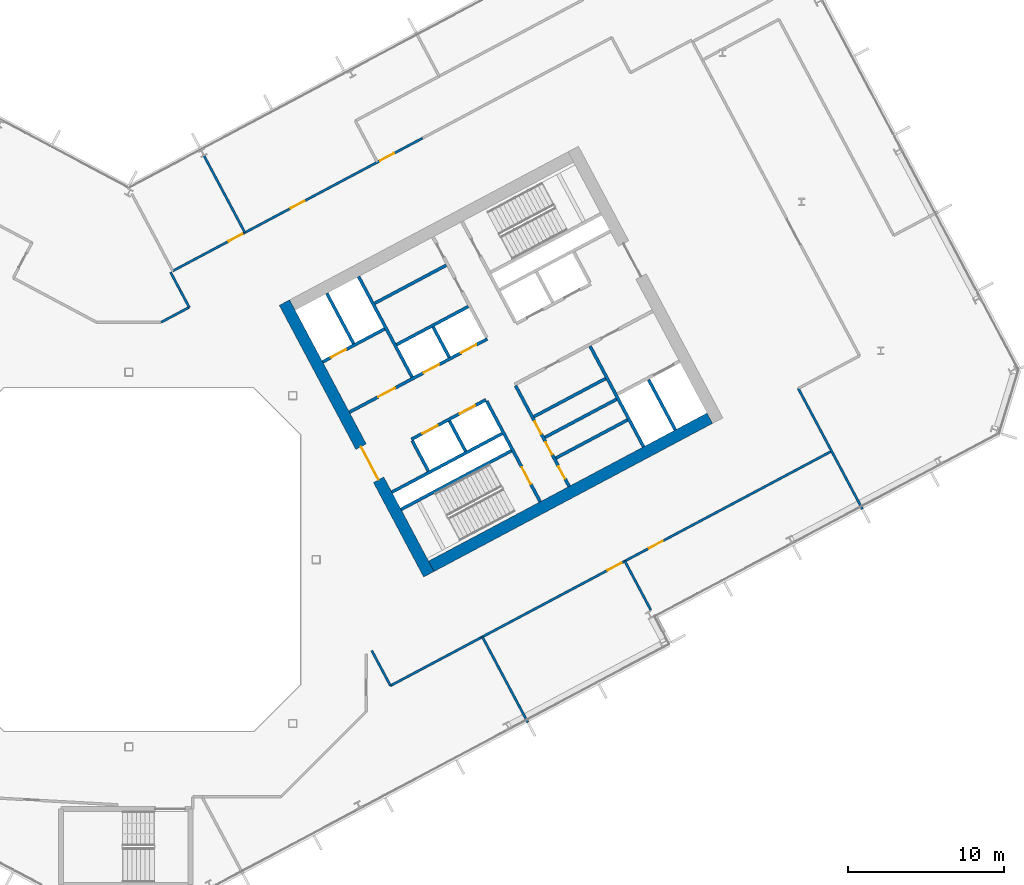
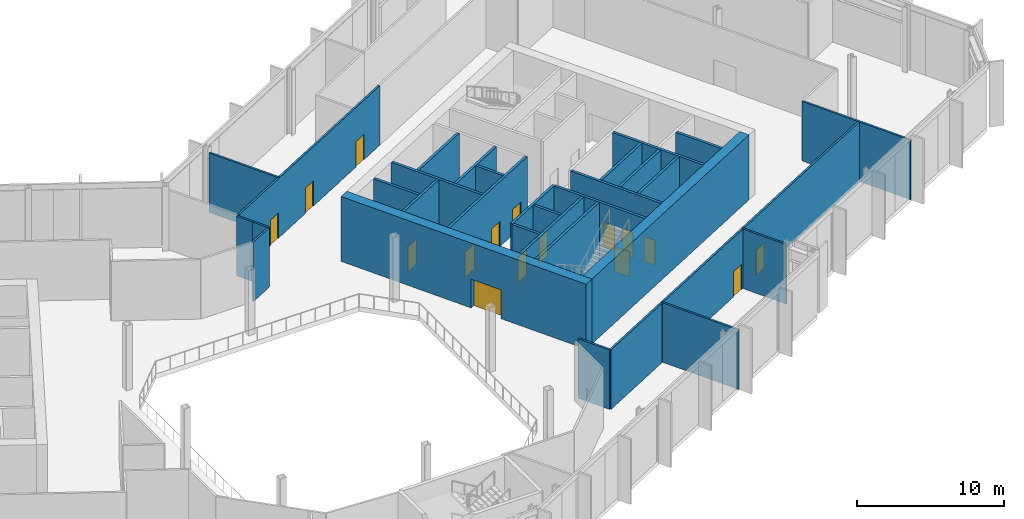
# One storey, part 16 of 31: 32 walls, 16 doors, 16 openings.
"""IFC4 building model written with IfcOpenShell, lengths in metres."""

from ifc_helpers import new_model, si_unit, direction, frame, frame_2d, origin, place, context, subcontext, project, spatial, rectangle, extrude, material, layer, layer_set, type_object, element, fill, save


model = new_model("IFC4")

# Units and contexts
model_context = context("Model", 3, precision=1e-05, world=origin(), true_north=direction((0.0, 1.0)))
body_context = subcontext(model_context, "Body", "Model", "MODEL_VIEW")
ifc_project = project(units=[si_unit("LENGTHUNIT", "METRE"), si_unit("AREAUNIT", "SQUARE_METRE"), si_unit("VOLUMEUNIT", "CUBIC_METRE"), si_unit("PLANEANGLEUNIT", "RADIAN"), si_unit("MASSUNIT", "GRAM", prefix="KILO")], contexts=[model_context])

# Site, building, storey
site_placement = place(None, origin())
site = spatial("IfcSite", under=ifc_project, at=site_placement, CompositionType="ELEMENT")
building_placement = place(site_placement, origin())
building = spatial("IfcBuilding", under=site, at=building_placement, Name="Cormorant Relay Tower", CompositionType="ELEMENT")
storey_placement = place(building_placement, frame((0.0, 0.0, 178.199951171875)))
storey = spatial("IfcBuildingStorey", under=building, at=storey_placement, Name="L38", CompositionType="ELEMENT", Elevation=178.199951171875)

# Walls
ifc_material_1 = material(Name="Concrete 40 MPa", Category="concrete")
ifc_layer_1 = layer(ifc_material_1, 0.199951171875)
ifc_layer_set_1 = layer_set([ifc_layer_1], Name="Core internal wall 200")
wall_type_1 = type_object("IfcWallType", Name="Core internal wall 200", PredefinedType="SOLIDWALL", material=ifc_layer_set_1)
for number, where, z_axis, x_axis, name in (
    (1, (21.567626953125, 6.9375, 0.0), (0.0, 0.0, 1.0), (-0.469533832133, 0.882914480843, 0.0), "L38 core B shaft and room wall"),
    (2, (20.522216796875, 12.950439453125, 0.0), (0.0, 0.0, 1.0), (-0.469401318492, 0.882984938828, 0.0), "L38 core B shaft and room wall"),
):
    element("IfcWall", number, at=place(storey_placement, frame(where, z_axis=z_axis, x_axis=x_axis)), inside=storey, type_object=wall_type_1, Name=name, PredefinedType="SOLIDWALL", context=body_context, shape_type="SweptSolid", body=[
        extrude(rectangle(XDim=2.199951171875, YDim=0.199951171875, at=frame_2d((1.10009765625, 0.0))), origin(), (0.0, 0.0, 1.0), 5.400146484375),
    ])
for number, where, z_axis, x_axis, name in (
    (3, (27.349365234375, 6.500732421875, 0.0), (0.0, 0.0, 1.0), (0.882953967957, 0.469459572775, 0.0), "L38 core B shaft and room wall"),
    (4, (26.645263671875, 7.8251953125, 0.0), (0.0, 0.0, 1.0), (0.882953967957, 0.469459572775, 0.0), "L38 core B shaft and room wall"),
    (5, (15.738525390625, 16.409423828125, 0.0), (0.0, 0.0, 1.0), (0.882934506056, 0.469496174655, 0.0), "L38 core B shaft and room wall"),
):
    element("IfcWall", number, at=place(storey_placement, frame(where, z_axis=z_axis, x_axis=x_axis)), inside=storey, type_object=wall_type_1, Name=name, PredefinedType="SOLIDWALL", context=body_context, shape_type="SweptSolid", body=[
        extrude(rectangle(XDim=5.199951171875, YDim=0.199951171875, at=frame_2d((2.60009765625, 0.0))), origin(), (0.0, 0.0, 1.0), 5.400146484375),
    ])
ifc_material_2 = material(Name="Concrete 50 MPa", Category="concrete")
ifc_layer_2 = layer(ifc_material_2, 0.199951171875)
ifc_layer_set_2 = layer_set([ifc_layer_2], Name="Core shaft wall 200")
wall_type_2 = type_object("IfcWallType", Name="Core shaft wall 200", PredefinedType="SHEAR", material=ifc_layer_set_2)
wall_1_placement = place(storey_placement, frame((14.39404296875, 13.825927734375, 0.0), z_axis=(0.0, 0.0, 1.0), x_axis=(-0.469494272526, 0.882935517501, 0.0)))
element("IfcWall", 6, at=wall_1_placement, inside=storey, type_object=wall_type_2, Name="L38 core B shaft wall", PredefinedType="SHEAR", context=body_context, shape_type="SweptSolid", body=[
    extrude(rectangle(XDim=3.64990234375, YDim=0.199951171875, at=frame_2d((1.824951171875, 0.0))), origin(), (0.0, 0.0, 1.0), 5.400146484375),
])
wall_2_placement = place(storey_placement, frame((19.18359375, 5.669921875, 0.0), z_axis=(0.0, 0.0, 1.0), x_axis=(-0.4694473164, 0.882960484464, 0.0)))
element("IfcWall", 7, at=wall_2_placement, inside=storey, type_object=wall_type_2, Name="L38 core B shaft wall", PredefinedType="SHEAR", context=body_context, shape_type="SweptSolid", body=[
    extrude(rectangle(XDim=2.199951171875, YDim=0.199951171875, at=frame_2d((1.10009765625, 0.0))), origin(), (0.0, 0.0, 1.0), 5.400146484375),
])
wall_3_placement = place(storey_placement, frame((18.138427734375, 11.682861328125, 0.0), z_axis=(0.0, 0.0, 1.0), x_axis=(-0.469480409012, 0.88294288918, 0.0)))
element("IfcWall", 8, at=wall_3_placement, inside=storey, type_object=wall_type_2, Name="L38 core B shaft wall", PredefinedType="SHEAR", context=body_context, shape_type="SweptSolid", body=[
    extrude(rectangle(XDim=7.300048828125, YDim=0.199951171875, at=frame_2d((3.64990234375, 0.0))), origin(), (0.0, 0.0, 1.0), 5.400146484375),
])

# Wall, opening, door
wall_4_placement = place(storey_placement, frame((26.345947265625, 3.701904296875, 0.0), z_axis=(0.0, 0.0, 1.0), x_axis=(-0.469480409012, 0.88294288918, 0.0)))
wall_4 = element("IfcWall", 9, at=wall_4_placement, inside=storey, type_object=wall_type_2, Name="L38 core B shaft wall", PredefinedType="SHEAR", context=body_context, shape_type="SweptSolid", body=[
    extrude(rectangle(XDim=7.300048828125, YDim=0.199951171875, at=frame_2d((3.64990234375, 0.0))), origin(), (0.0, 0.0, 1.0), 5.400146484375),
])
opening_1_placement = place(wall_4_placement, frame((1.300048828125, 0.0, 0.0)))
opening_1 = element("IfcOpeningElement", 10, at=opening_1_placement, cuts=wall_4, Name="Opening CDB-021", PredefinedType="OPENING", context=body_context, shape_type="SweptSolid", body=[
    extrude(rectangle(XDim=1.199951171875, YDim=2.10009765625, at=frame_2d((0.60009765625, 1.050048828125))), frame((0.0, 0.10986328125, 0.0), z_axis=(0.0, -1.0, 0.0), x_axis=(1.0, 0.0, 0.0)), (0.0, 0.0, 1.0), 0.219970703125),
])
ifc_material_3 = material(Name="Steel fire door", Category="steel")
door_type_1 = type_object("IfcDoorType", Name="Core stair door 1200x2100", OperationType="SINGLE_SWING_LEFT", PredefinedType="DOOR", material=ifc_material_3)
door_1_placement = place(opening_1_placement, origin())
door_1 = element("IfcDoor", 11, at=door_1_placement, inside=storey, type_object=door_type_1, Name="Core stair door 1200x2100", OperationType="SINGLE_SWING_RIGHT", OverallHeight=2.10009765625, OverallWidth=1.199951171875, PredefinedType="DOOR", context=body_context, shape_type="SweptSolid", body=[
    extrude(rectangle(XDim=1.199951171875, YDim=2.10009765625, at=frame_2d((0.60009765625, 1.050048828125))), frame((0.0, 0.02490234375, 0.0), z_axis=(0.0, -1.0, 0.0), x_axis=(1.0, 0.0, 0.0)), (0.0, 0.0, 1.0), 0.050048828125),
])
fill(opening_1, door_1)

# Wall, openings, doors
wall_5_placement = place(storey_placement, frame((28.199951171875, 4.687744140625, 0.0), z_axis=(0.0, 0.0, 1.0), x_axis=(-0.469454336211, 0.882956752176, 0.0)))
wall_5 = element("IfcWall", 12, at=wall_5_placement, inside=storey, type_object=wall_type_2, Name="L38 core B shaft wall", PredefinedType="SHEAR", context=body_context, shape_type="SweptSolid", body=[
    extrude(rectangle(XDim=7.300048828125, YDim=0.199951171875, at=frame_2d((3.64990234375, 0.0))), origin(), (0.0, 0.0, 1.0), 5.400146484375),
])
opening_2_placement = place(wall_5_placement, frame((0.550048828125, 0.0, 0.0)))
opening_2 = element("IfcOpeningElement", 13, at=opening_2_placement, cuts=wall_5, Name="Opening CDD-078", PredefinedType="OPENING", context=body_context, shape_type="SweptSolid", body=[
    extrude(rectangle(XDim=0.89990234375, YDim=2.10009765625, at=frame_2d((0.449951171875, 1.050048828125))), frame((0.0, 0.10986328125, 0.0), z_axis=(0.0, -1.0, 0.0), x_axis=(1.0, 0.0, 0.0)), (0.0, 0.0, 1.0), 0.219970703125),
])
opening_3_placement = place(wall_5_placement, frame((2.300048828125, 0.0, 0.0)))
opening_3 = element("IfcOpeningElement", 14, at=opening_3_placement, cuts=wall_5, Name="Opening CDD-079", PredefinedType="OPENING", context=body_context, shape_type="SweptSolid", body=[
    extrude(rectangle(XDim=0.89990234375, YDim=2.10009765625, at=frame_2d((0.449951171875, 1.050048828125))), frame((0.0, 0.10986328125, 0.0), z_axis=(0.0, -1.0, 0.0), x_axis=(1.0, 0.0, 0.0)), (0.0, 0.0, 1.0), 0.219970703125),
])
opening_4_placement = place(wall_5_placement, frame((3.800048828125, 0.0, 0.0)))
opening_4 = element("IfcOpeningElement", 15, at=opening_4_placement, cuts=wall_5, Name="Opening CDD-080", PredefinedType="OPENING", context=body_context, shape_type="SweptSolid", body=[
    extrude(rectangle(XDim=0.89990234375, YDim=2.10009765625, at=frame_2d((0.449951171875, 1.050048828125))), frame((0.0, 0.10986328125, 0.0), z_axis=(0.0, -1.0, 0.0), x_axis=(1.0, 0.0, 0.0)), (0.0, 0.0, 1.0), 0.219970703125),
])
ifc_material_4 = material(Name="Steel fire door", Category="steel")
door_type_2 = type_object("IfcDoorType", Name="Core room door 900x2100", OperationType="SINGLE_SWING_LEFT", PredefinedType="DOOR", material=ifc_material_4)
door_2_placement = place(opening_2_placement, frame((0.89990234375, 0.0, 0.0), z_axis=(0.0, 0.0, 1.0), x_axis=(-1.0, 0.0, 0.0)))
door_2 = element("IfcDoor", 16, at=door_2_placement, inside=storey, type_object=door_type_2, Name="Core room door 900x2100", OperationType="SINGLE_SWING_LEFT", OverallHeight=2.10009765625, OverallWidth=0.89990234375, PredefinedType="DOOR", context=body_context, shape_type="SweptSolid", body=[
    extrude(rectangle(XDim=0.89990234375, YDim=2.10009765625, at=frame_2d((0.449951171875, 1.050048828125))), frame((0.0, 0.02490234375, 0.0), z_axis=(0.0, -1.0, 0.0), x_axis=(1.0, 0.0, 0.0)), (0.0, 0.0, 1.0), 0.050048828125),
])
fill(opening_2, door_2)
door_3_placement = place(opening_3_placement, frame((0.89990234375, 0.0, 0.0), z_axis=(0.0, 0.0, 1.0), x_axis=(-1.0, 0.0, 0.0)))
door_3 = element("IfcDoor", 17, at=door_3_placement, inside=storey, type_object=door_type_2, Name="Core room door 900x2100", OperationType="SINGLE_SWING_LEFT", OverallHeight=2.10009765625, OverallWidth=0.89990234375, PredefinedType="DOOR", context=body_context, shape_type="SweptSolid", body=[
    extrude(rectangle(XDim=0.89990234375, YDim=2.10009765625, at=frame_2d((0.449951171875, 1.050048828125))), frame((0.0, 0.02490234375, 0.0), z_axis=(0.0, -1.0, 0.0), x_axis=(1.0, 0.0, 0.0)), (0.0, 0.0, 1.0), 0.050048828125),
])
fill(opening_3, door_3)
door_4_placement = place(opening_4_placement, frame((0.89990234375, 0.0, 0.0), z_axis=(0.0, 0.0, 1.0), x_axis=(-1.0, 0.0, 0.0)))
door_4 = element("IfcDoor", 18, at=door_4_placement, inside=storey, type_object=door_type_2, Name="Core room door 900x2100", OperationType="SINGLE_SWING_LEFT", OverallHeight=2.10009765625, OverallWidth=0.89990234375, PredefinedType="DOOR", context=body_context, shape_type="SweptSolid", body=[
    extrude(rectangle(XDim=0.89990234375, YDim=2.10009765625, at=frame_2d((0.449951171875, 1.050048828125))), frame((0.0, 0.02490234375, 0.0), z_axis=(0.0, -1.0, 0.0), x_axis=(1.0, 0.0, 0.0)), (0.0, 0.0, 1.0), 0.050048828125),
])
fill(opening_4, door_4)

# Walls
wall_6_placement = place(storey_placement, frame((32.968017578125, 7.222900390625, 0.0), z_axis=(0.0, 0.0, 1.0), x_axis=(-0.469480409012, 0.88294288918, 0.0)))
element("IfcWall", 19, at=wall_6_placement, inside=storey, type_object=wall_type_2, Name="L38 core B shaft wall", PredefinedType="SHEAR", context=body_context, shape_type="SweptSolid", body=[
    extrude(rectangle(XDim=7.300048828125, YDim=0.199951171875, at=frame_2d((3.64990234375, 0.0))), origin(), (0.0, 0.0, 1.0), 5.400146484375),
])
wall_7_placement = place(storey_placement, frame((34.998779296875, 8.302734375, 0.0), z_axis=(0.0, 0.0, 1.0), x_axis=(-0.4694665462, 0.882950260207, 0.0)))
element("IfcWall", 20, at=wall_7_placement, inside=storey, type_object=wall_type_2, Name="L38 core B shaft wall", PredefinedType="SHEAR", context=body_context, shape_type="SweptSolid", body=[
    extrude(rectangle(XDim=3.650146484375, YDim=0.199951171875, at=frame_2d((1.8251953125, 0.0))), origin(), (0.0, 0.0, 1.0), 5.400146484375),
])
for number, where, z_axis, x_axis, name in (
    (21, (17.43359375, 3.210205078125, 0.0), (0.0, 0.0, 1.0), (0.882940221191, 0.469485426614, 0.0), "L38 core B shaft wall"),
    (22, (16.8466796875, 4.31396484375, 0.0), (0.0, 0.0, 1.0), (0.882940221191, 0.469485426614, 0.0), "L38 core B shaft wall"),
):
    element("IfcWall", number, at=place(storey_placement, frame(where, z_axis=z_axis, x_axis=x_axis)), inside=storey, type_object=wall_type_2, Name=name, PredefinedType="SHEAR", context=body_context, shape_type="SweptSolid", body=[
        extrude(rectangle(XDim=8.0, YDim=0.199951171875, at=frame_2d((4.0, 0.0))), origin(), (0.0, 0.0, 1.0), 5.400146484375),
    ])
wall_8_placement = place(storey_placement, frame((25.94091796875, 9.149658203125, 0.0), z_axis=(0.0, 0.0, 1.0), x_axis=(0.882953967957, 0.469459572775, 0.0)))
element("IfcWall", 23, at=wall_8_placement, inside=storey, type_object=wall_type_2, Name="L38 core B shaft wall", PredefinedType="SHEAR", context=body_context, shape_type="SweptSolid", body=[
    extrude(rectangle(XDim=5.199951171875, YDim=0.199951171875, at=frame_2d((2.60009765625, 0.0))), origin(), (0.0, 0.0, 1.0), 5.400146484375),
])

# Wall, openings, doors
wall_9_placement = place(storey_placement, frame((18.103759765625, 7.70068359375, 0.0), z_axis=(0.0, 0.0, 1.0), x_axis=(0.882952937579, 0.469461510692, 0.0)))
wall_9 = element("IfcWall", 24, at=wall_9_placement, inside=storey, type_object=wall_type_2, Name="L38 core B shaft wall", PredefinedType="SHEAR", context=body_context, shape_type="SweptSolid", body=[
    extrude(rectangle(XDim=5.400146484375, YDim=0.199951171875, at=frame_2d((2.7001953125, 0.0))), origin(), (0.0, 0.0, 1.0), 5.400146484375),
])
opening_5_placement = place(wall_9_placement, frame((0.800048828125, 0.0, 0.0)))
opening_5 = element("IfcOpeningElement", 25, at=opening_5_placement, cuts=wall_9, Name="Opening LD1-024", PredefinedType="OPENING", context=body_context, shape_type="SweptSolid", body=[
    extrude(rectangle(XDim=1.10009765625, YDim=2.10009765625, at=frame_2d((0.550048828125, 1.050048828125))), frame((0.0, 0.10986328125, 0.0), z_axis=(0.0, -1.0, 0.0), x_axis=(1.0, 0.0, 0.0)), (0.0, 0.0, 1.0), 0.219970703125),
])
opening_6_placement = place(wall_9_placement, frame((3.5, 0.0, 0.0)))
opening_6 = element("IfcOpeningElement", 26, at=opening_6_placement, cuts=wall_9, Name="Opening LD1-025", PredefinedType="OPENING", context=body_context, shape_type="SweptSolid", body=[
    extrude(rectangle(XDim=1.10009765625, YDim=2.10009765625, at=frame_2d((0.550048828125, 1.050048828125))), frame((0.0, 0.10986328125, 0.0), z_axis=(0.0, -1.0, 0.0), x_axis=(1.0, 0.0, 0.0)), (0.0, 0.0, 1.0), 0.219970703125),
])
ifc_material_5 = material(Name="Stainless steel 316", Category="steel")
door_type_3 = type_object("IfcDoorType", Name="Lift landing door 1100x2100", OperationType="DOUBLE_DOOR_SLIDING", PredefinedType="DOOR", material=ifc_material_5)
door_5_placement = place(opening_5_placement, origin())
door_5 = element("IfcDoor", 27, at=door_5_placement, inside=storey, type_object=door_type_3, Name="LR5 landing door", OperationType="DOUBLE_DOOR_SLIDING", OverallHeight=2.10009765625, OverallWidth=1.10009765625, PredefinedType="DOOR", context=body_context, shape_type="SweptSolid", body=[
    extrude(rectangle(XDim=1.10009765625, YDim=2.10009765625, at=frame_2d((0.550048828125, 1.050048828125))), frame((0.0, 0.02490234375, 0.0), z_axis=(0.0, -1.0, 0.0), x_axis=(1.0, 0.0, 0.0)), (0.0, 0.0, 1.0), 0.050048828125),
])
fill(opening_5, door_5)
door_6_placement = place(opening_6_placement, origin())
door_6 = element("IfcDoor", 28, at=door_6_placement, inside=storey, type_object=door_type_3, Name="LR6 landing door", OperationType="DOUBLE_DOOR_SLIDING", OverallHeight=2.10009765625, OverallWidth=1.10009765625, PredefinedType="DOOR", context=body_context, shape_type="SweptSolid", body=[
    extrude(rectangle(XDim=1.10009765625, YDim=2.10009765625, at=frame_2d((0.550048828125, 1.050048828125))), frame((0.0, 0.02490234375, 0.0), z_axis=(0.0, -1.0, 0.0), x_axis=(1.0, 0.0, 0.0)), (0.0, 0.0, 1.0), 0.050048828125),
])
fill(opening_6, door_6)

wall_10_placement = place(storey_placement, frame((14.123779296875, 9.43505859375, 0.0), z_axis=(0.0, 0.0, 1.0), x_axis=(0.882940221191, 0.469485426614, 0.0)))
wall_10 = element("IfcWall", 29, at=wall_10_placement, inside=storey, type_object=wall_type_2, Name="L38 core B shaft wall", PredefinedType="SHEAR", context=body_context, shape_type="SweptSolid", body=[
    extrude(rectangle(XDim=10.0, YDim=0.199951171875, at=frame_2d((5.0, 0.0))), origin(), (0.0, 0.0, 1.0), 5.400146484375),
])
opening_7_placement = place(wall_10_placement, frame((2.10009765625, 0.0, 0.0)))
opening_7 = element("IfcOpeningElement", 30, at=opening_7_placement, cuts=wall_10, Name="Opening CDC-015", PredefinedType="OPENING", context=body_context, shape_type="SweptSolid", body=[
    extrude(rectangle(XDim=1.199951171875, YDim=2.10009765625, at=frame_2d((0.60009765625, 1.050048828125))), frame((0.0, 0.10986328125, 0.0), z_axis=(0.0, -1.0, 0.0), x_axis=(1.0, 0.0, 0.0)), (0.0, 0.0, 1.0), 0.219970703125),
])
opening_8_placement = place(wall_10_placement, frame((5.39990234375, 0.0, 0.0)))
opening_8 = element("IfcOpeningElement", 31, at=opening_8_placement, cuts=wall_10, Name="Opening LD1-020", PredefinedType="OPENING", context=body_context, shape_type="SweptSolid", body=[
    extrude(rectangle(XDim=1.10009765625, YDim=2.10009765625, at=frame_2d((0.550048828125, 1.050048828125))), frame((0.0, 0.10986328125, 0.0), z_axis=(0.0, -1.0, 0.0), x_axis=(1.0, 0.0, 0.0)), (0.0, 0.0, 1.0), 0.219970703125),
])
opening_9_placement = place(wall_10_placement, frame((8.10009765625, 0.0, 0.0)))
opening_9 = element("IfcOpeningElement", 32, at=opening_9_placement, cuts=wall_10, Name="Opening LD1-021", PredefinedType="OPENING", context=body_context, shape_type="SweptSolid", body=[
    extrude(rectangle(XDim=1.10009765625, YDim=2.10009765625, at=frame_2d((0.550048828125, 1.050048828125))), frame((0.0, 0.10986328125, 0.0), z_axis=(0.0, -1.0, 0.0), x_axis=(1.0, 0.0, 0.0)), (0.0, 0.0, 1.0), 0.219970703125),
])
ifc_material_6 = material(Name="Steel fire door", Category="steel")
door_type_4 = type_object("IfcDoorType", Name="Core lobby door 1200x2100", OperationType="SINGLE_SWING_LEFT", PredefinedType="DOOR", material=ifc_material_6)
door_7_placement = place(opening_7_placement, origin())
door_7 = element("IfcDoor", 33, at=door_7_placement, inside=storey, type_object=door_type_4, Name="Core lobby door 1200x2100", OperationType="SINGLE_SWING_RIGHT", OverallHeight=2.10009765625, OverallWidth=1.199951171875, PredefinedType="DOOR", context=body_context, shape_type="SweptSolid", body=[
    extrude(rectangle(XDim=1.199951171875, YDim=2.10009765625, at=frame_2d((0.60009765625, 1.050048828125))), frame((0.0, 0.02490234375, 0.0), z_axis=(0.0, -1.0, 0.0), x_axis=(1.0, 0.0, 0.0)), (0.0, 0.0, 1.0), 0.050048828125),
])
fill(opening_7, door_7)
door_8_placement = place(opening_8_placement, origin())
door_8 = element("IfcDoor", 34, at=door_8_placement, inside=storey, type_object=door_type_3, Name="LR1 landing door", OperationType="DOUBLE_DOOR_SLIDING", OverallHeight=2.10009765625, OverallWidth=1.10009765625, PredefinedType="DOOR", context=body_context, shape_type="SweptSolid", body=[
    extrude(rectangle(XDim=1.10009765625, YDim=2.10009765625, at=frame_2d((0.550048828125, 1.050048828125))), frame((0.0, 0.02490234375, 0.0), z_axis=(0.0, -1.0, 0.0), x_axis=(1.0, 0.0, 0.0)), (0.0, 0.0, 1.0), 0.050048828125),
])
fill(opening_8, door_8)
door_9_placement = place(opening_9_placement, origin())
door_9 = element("IfcDoor", 35, at=door_9_placement, inside=storey, type_object=door_type_3, Name="LR2 landing door", OperationType="DOUBLE_DOOR_SLIDING", OverallHeight=2.10009765625, OverallWidth=1.10009765625, PredefinedType="DOOR", context=body_context, shape_type="SweptSolid", body=[
    extrude(rectangle(XDim=1.10009765625, YDim=2.10009765625, at=frame_2d((0.550048828125, 1.050048828125))), frame((0.0, 0.02490234375, 0.0), z_axis=(0.0, -1.0, 0.0), x_axis=(1.0, 0.0, 0.0)), (0.0, 0.0, 1.0), 0.050048828125),
])
fill(opening_9, door_9)

# Wall
wall_11_placement = place(storey_placement, frame((17.146728515625, 13.7607421875, 0.0), z_axis=(0.0, 0.0, 1.0), x_axis=(0.882964314875, 0.469440111896, 0.0)))
element("IfcWall", 36, at=wall_11_placement, inside=storey, type_object=wall_type_2, Name="L38 core B shaft wall", PredefinedType="SHEAR", context=body_context, shape_type="SweptSolid", body=[
    extrude(rectangle(XDim=5.2001953125, YDim=0.199951171875, at=frame_2d((2.60009765625, 0.0))), origin(), (0.0, 0.0, 1.0), 5.400146484375),
])

# Wall, opening, door
wall_12_placement = place(storey_placement, frame((12.41015625, 12.657958984375, 0.0), z_axis=(0.0, 0.0, 1.0), x_axis=(0.8829484765, 0.469469900894, 0.0)))
wall_12 = element("IfcWall", 37, at=wall_12_placement, inside=storey, type_object=wall_type_2, Name="L38 core B shaft wall", PredefinedType="SHEAR", context=body_context, shape_type="SweptSolid", body=[
    extrude(rectangle(XDim=4.499755859375, YDim=0.199951171875, at=frame_2d((2.25, 0.0))), origin(), (0.0, 0.0, 1.0), 5.400146484375),
])
opening_10_placement = place(wall_12_placement, frame((0.60009765625, 0.0, 0.0)))
opening_10 = element("IfcOpeningElement", 38, at=opening_10_placement, cuts=wall_12, Name="Opening LD1-026", PredefinedType="OPENING", context=body_context, shape_type="SweptSolid", body=[
    extrude(rectangle(XDim=1.10009765625, YDim=2.10009765625, at=frame_2d((0.550048828125, 1.050048828125))), frame((0.0, 0.10986328125, 0.0), z_axis=(0.0, -1.0, 0.0), x_axis=(1.0, 0.0, 0.0)), (0.0, 0.0, 1.0), 0.219970703125),
])
door_10_placement = place(opening_10_placement, origin())
door_10 = element("IfcDoor", 39, at=door_10_placement, inside=storey, type_object=door_type_3, Name="FF2 landing door", OperationType="DOUBLE_DOOR_SLIDING", OverallHeight=2.10009765625, OverallWidth=1.10009765625, PredefinedType="DOOR", context=body_context, shape_type="SweptSolid", body=[
    extrude(rectangle(XDim=1.10009765625, YDim=2.10009765625, at=frame_2d((0.550048828125, 1.050048828125))), frame((0.0, 0.02490234375, 0.0), z_axis=(0.0, -1.0, 0.0), x_axis=(1.0, 0.0, 0.0)), (0.0, 0.0, 1.0), 0.050048828125),
])
fill(opening_10, door_10)

ifc_material_7 = material(Name="Concrete 60 MPa", Category="concrete")
ifc_layer_3 = layer(ifc_material_7, 0.75)
ifc_layer_set_3 = layer_set([ifc_layer_3], Name="Core wall 750")
wall_type_3 = type_object("IfcWallType", Name="Core wall 750", PredefinedType="SHEAR", material=ifc_layer_set_3)
wall_13_placement = place(storey_placement, frame((19.215087890625, -0.93896484375, 0.0), z_axis=(0.0, 0.0, 1.0), x_axis=(-0.469479580143, 0.882943329908, 0.0)))
wall_13 = element("IfcWall", 40, at=wall_13_placement, inside=storey, type_object=wall_type_3, Name="L38 core B wall", PredefinedType="SHEAR", context=body_context, shape_type="SweptSolid", body=[
    extrude(rectangle(XDim=19.699951171875, YDim=0.75, at=frame_2d((9.85009765625, 0.0))), origin(), (0.0, 0.0, 1.0), 5.400146484375),
])
opening_11_placement = place(wall_13_placement, frame((6.85009765625, 0.0, 0.0)))
opening_11 = element("IfcOpeningElement", 41, at=opening_11_placement, cuts=wall_13, Name="Opening CDA-034", PredefinedType="OPENING", context=body_context, shape_type="SweptSolid", body=[
    extrude(rectangle(XDim=2.39990234375, YDim=2.39990234375, at=frame_2d((1.199951171875, 1.199951171875))), frame((0.0, 0.385009765625, 0.0), z_axis=(0.0, -1.0, 0.0), x_axis=(1.0, 0.0, 0.0)), (0.0, 0.0, 1.0), 0.77001953125),
])
ifc_material_8 = material(Name="Steel fire door", Category="steel")
door_type_5 = type_object("IfcDoorType", Name="Core lobby door 2400x2400", OperationType="DOUBLE_DOOR_SINGLE_SWING", PredefinedType="DOOR", material=ifc_material_8)
door_11_placement = place(opening_11_placement, origin())
door_11 = element("IfcDoor", 42, at=door_11_placement, inside=storey, type_object=door_type_5, Name="Core lobby door 2400x2400", OperationType="DOUBLE_DOOR_SINGLE_SWING", OverallHeight=2.39990234375, OverallWidth=2.39990234375, PredefinedType="DOOR", context=body_context, shape_type="SweptSolid", body=[
    extrude(rectangle(XDim=2.39990234375, YDim=2.39990234375, at=frame_2d((1.199951171875, 1.199951171875))), frame((0.0, 0.02490234375, 0.0), z_axis=(0.0, -1.0, 0.0), x_axis=(1.0, 0.0, 0.0)), (0.0, 0.0, 1.0), 0.050048828125),
])
fill(opening_11, door_11)

# Walls
wall_14_placement = place(storey_placement, frame((19.3701171875, -0.431884765625, 0.0), z_axis=(0.0, 0.0, 1.0), x_axis=(0.88294509198, 0.469476266226, 0.0)))
element("IfcWall", 43, at=wall_14_placement, inside=storey, type_object=wall_type_3, Name="L38 core B wall", PredefinedType="SHEAR", context=body_context, shape_type="SweptSolid", body=[
    extrude(rectangle(XDim=20.199951171875, YDim=0.75, at=frame_2d((10.10009765625, 0.0))), origin(), (0.0, 0.0, 1.0), 5.400146484375),
])
ifc_material_9 = material(Name="Gypsum board fire partition")
ifc_layer_4 = layer(ifc_material_9, 0.14990234375)
ifc_layer_set_4 = layer_set([ifc_layer_4], Name="Corridor partition 150 EI 60")
wall_type_4 = type_object("IfcWallType", Name="Corridor partition 150 EI 60", PredefinedType="PARTITIONING", material=ifc_layer_set_4)
wall_15_placement = place(storey_placement, frame((2.068115234375, 15.199951171875, 0.0), z_axis=(0.0, 0.0, 1.0), x_axis=(0.882935773264, 0.469493791535, 0.0)))
element("IfcWall", 44, at=wall_15_placement, inside=storey, type_object=wall_type_4, Name="wall/L38/part/037", PredefinedType="PARTITIONING", context=body_context, shape_type="SweptSolid", body=[
    extrude(rectangle(XDim=2.038330078125, YDim=0.14990234375, at=frame_2d((1.01904296875, 0.0))), origin(), (0.0, 0.0, 1.0), 4.949951171875),
])
wall_16_placement = place(storey_placement, frame((3.867919921875, 16.156982421875, 0.0), z_axis=(0.0, 0.0, 1.0), x_axis=(-0.470100170068, 0.882613069302, 0.0)))
element("IfcWall", 45, at=wall_16_placement, inside=storey, type_object=wall_type_4, Name="wall/L38/part/038", PredefinedType="PARTITIONING", context=body_context, shape_type="SweptSolid", body=[
    extrude(rectangle(XDim=1.246337890625, YDim=0.14990234375, at=frame_2d((0.623046875, 0.0))), origin(), (0.0, 0.0, 1.0), 4.949951171875),
])

# Wall, openings, doors
wall_17_placement = place(storey_placement, frame((2.81103515625, 18.48291015625, 0.0), z_axis=(0.0, 0.0, 1.0), x_axis=(0.882947985302, 0.469470824707, 0.0)))
wall_17 = element("IfcWall", 46, at=wall_17_placement, inside=storey, type_object=wall_type_4, Name="wall/L38/part/043", PredefinedType="PARTITIONING", context=body_context, shape_type="SweptSolid", body=[
    extrude(rectangle(XDim=18.116455078125, YDim=0.14990234375, at=frame_2d((9.05810546875, 0.0))), origin(), (0.0, 0.0, 1.0), 4.949951171875),
])
opening_12_placement = place(wall_17_placement, frame((15.050048828125, 0.0, 0.0)))
opening_12 = element("IfcOpeningElement", 47, at=opening_12_placement, cuts=wall_17, Name="Opening DS-093", PredefinedType="OPENING", context=body_context, shape_type="SweptSolid", body=[
    extrude(rectangle(XDim=1.0, YDim=2.10009765625, at=frame_2d((0.5, 1.050048828125))), frame((0.0, 0.0849609375, 0.0), z_axis=(0.0, -1.0, 0.0), x_axis=(1.0, 0.0, 0.0)), (0.0, 0.0, 1.0), 0.169921875),
])
opening_13_placement = place(wall_17_placement, frame((8.550048828125, 0.0, 0.0)))
opening_13 = element("IfcOpeningElement", 48, at=opening_13_placement, cuts=wall_17, Name="Opening DS-094", PredefinedType="OPENING", context=body_context, shape_type="SweptSolid", body=[
    extrude(rectangle(XDim=1.0, YDim=2.10009765625, at=frame_2d((0.5, 1.050048828125))), frame((0.0, 0.0849609375, 0.0), z_axis=(0.0, -1.0, 0.0), x_axis=(1.0, 0.0, 0.0)), (0.0, 0.0, 1.0), 0.169921875),
])
opening_14_placement = place(wall_17_placement, frame((4.050048828125, 0.0, 0.0)))
opening_14 = element("IfcOpeningElement", 49, at=opening_14_placement, cuts=wall_17, Name="Opening DS-095", PredefinedType="OPENING", context=body_context, shape_type="SweptSolid", body=[
    extrude(rectangle(XDim=1.0, YDim=2.10009765625, at=frame_2d((0.5, 1.050048828125))), frame((0.0, 0.0849609375, 0.0), z_axis=(0.0, -1.0, 0.0), x_axis=(1.0, 0.0, 0.0)), (0.0, 0.0, 1.0), 0.169921875),
])
ifc_material_10 = material(Name="Timber door leaf", Category="wood")
door_type_6 = type_object("IfcDoorType", Name="Suite door 1000x2100", OperationType="SINGLE_SWING_LEFT", PredefinedType="DOOR", material=ifc_material_10)
door_12_placement = place(opening_12_placement, origin())
door_12 = element("IfcDoor", 50, at=door_12_placement, inside=storey, type_object=door_type_6, Name="door/L38/006", OperationType="SINGLE_SWING_LEFT", OverallHeight=2.10009765625, OverallWidth=1.0, PredefinedType="DOOR", context=body_context, shape_type="SweptSolid", body=[
    extrude(rectangle(XDim=1.0, YDim=2.10009765625, at=frame_2d((0.5, 1.050048828125))), frame((0.0, 0.02490234375, 0.0), z_axis=(0.0, -1.0, 0.0), x_axis=(1.0, 0.0, 0.0)), (0.0, 0.0, 1.0), 0.050048828125),
])
fill(opening_12, door_12)
door_13_placement = place(opening_13_placement, origin())
door_13 = element("IfcDoor", 51, at=door_13_placement, inside=storey, type_object=door_type_6, Name="door/L38/007", OperationType="SINGLE_SWING_LEFT", OverallHeight=2.10009765625, OverallWidth=1.0, PredefinedType="DOOR", context=body_context, shape_type="SweptSolid", body=[
    extrude(rectangle(XDim=1.0, YDim=2.10009765625, at=frame_2d((0.5, 1.050048828125))), frame((0.0, 0.02490234375, 0.0), z_axis=(0.0, -1.0, 0.0), x_axis=(1.0, 0.0, 0.0)), (0.0, 0.0, 1.0), 0.050048828125),
])
fill(opening_13, door_13)
door_14_placement = place(opening_14_placement, origin())
door_14 = element("IfcDoor", 52, at=door_14_placement, inside=storey, type_object=door_type_6, Name="door/L38/008", OperationType="SINGLE_SWING_RIGHT", OverallHeight=2.10009765625, OverallWidth=1.0, PredefinedType="DOOR", context=body_context, shape_type="SweptSolid", body=[
    extrude(rectangle(XDim=1.0, YDim=2.10009765625, at=frame_2d((0.5, 1.050048828125))), frame((0.0, 0.02490234375, 0.0), z_axis=(0.0, -1.0, 0.0), x_axis=(1.0, 0.0, 0.0)), (0.0, 0.0, 1.0), 0.050048828125),
])
fill(opening_14, door_14)

# Walls
wall_18_placement = place(storey_placement, frame((3.281982421875, 17.257080078125, 0.0), z_axis=(0.0, 0.0, 1.0), x_axis=(-0.469547742395, 0.882907083227, 0.0)))
element("IfcWall", 53, at=wall_18_placement, inside=storey, type_object=wall_type_4, Name="wall/L38/part/044", PredefinedType="PARTITIONING", context=body_context, shape_type="SweptSolid", body=[
    extrude(rectangle(XDim=1.303466796875, YDim=0.14990234375, at=frame_2d((0.65185546875, 0.0))), origin(), (0.0, 0.0, 1.0), 4.949951171875),
])
wall_19_placement = place(storey_placement, frame((22.553955078125, -4.9970703125, 0.0), z_axis=(0.0, 0.0, 1.0), x_axis=(-0.883006455356, -0.469360841783, 0.0)))
element("IfcWall", 54, at=wall_19_placement, inside=storey, type_object=wall_type_4, Name="wall/L38/part/051", PredefinedType="PARTITIONING", context=body_context, shape_type="SweptSolid", body=[
    extrude(rectangle(XDim=6.568603515625, YDim=0.14990234375, at=frame_2d((3.2841796875, 0.0))), origin(), (0.0, 0.0, 1.0), 4.949951171875),
])
wall_20_placement = place(storey_placement, frame((15.56005859375, -5.8330078125, 0.0), z_axis=(0.0, 0.0, 1.0), x_axis=(0.469482510872, -0.882941771571, 0.0)))
element("IfcWall", 55, at=wall_20_placement, inside=storey, type_object=wall_type_4, Name="wall/L38/part/052", PredefinedType="PARTITIONING", context=body_context, shape_type="SweptSolid", body=[
    extrude(rectangle(XDim=2.544921875, YDim=0.14990234375, at=frame_2d((1.2724609375, 0.0))), origin(), (0.0, 0.0, 1.0), 4.949951171875),
])

# Wall, openings, doors
wall_21_placement = place(storey_placement, frame((45.009033203125, 6.943115234375, 0.0), z_axis=(0.0, 0.0, 1.0), x_axis=(-0.882937671178, -0.469490222279, 0.0)))
wall_21 = element("IfcWall", 56, at=wall_21_placement, inside=storey, type_object=wall_type_4, Name="wall/L38/part/061", PredefinedType="PARTITIONING", context=body_context, shape_type="SweptSolid", body=[
    extrude(rectangle(XDim=25.43212890625, YDim=0.14990234375, at=frame_2d((12.716064453125, 0.0))), origin(), (0.0, 0.0, 1.0), 4.949951171875),
])
opening_15_placement = place(wall_21_placement, frame((15.25, 0.0, 0.0)))
opening_15 = element("IfcOpeningElement", 57, at=opening_15_placement, cuts=wall_21, Name="Opening DS-091", PredefinedType="OPENING", context=body_context, shape_type="SweptSolid", body=[
    extrude(rectangle(XDim=1.0, YDim=2.10009765625, at=frame_2d((0.5, 1.050048828125))), frame((0.0, 0.0849609375, 0.0), z_axis=(0.0, -1.0, 0.0), x_axis=(1.0, 0.0, 0.0)), (0.0, 0.0, 1.0), 0.169921875),
])
opening_16_placement = place(wall_21_placement, frame((12.25, 0.0, 0.0)))
opening_16 = element("IfcOpeningElement", 58, at=opening_16_placement, cuts=wall_21, Name="Opening DS-092", PredefinedType="OPENING", context=body_context, shape_type="SweptSolid", body=[
    extrude(rectangle(XDim=1.0, YDim=2.10009765625, at=frame_2d((0.5, 1.050048828125))), frame((0.0, 0.0849609375, 0.0), z_axis=(0.0, -1.0, 0.0), x_axis=(1.0, 0.0, 0.0)), (0.0, 0.0, 1.0), 0.169921875),
])
door_15_placement = place(opening_15_placement, origin())
door_15 = element("IfcDoor", 59, at=door_15_placement, inside=storey, type_object=door_type_6, Name="door/L38/003", OperationType="SINGLE_SWING_LEFT", OverallHeight=2.10009765625, OverallWidth=1.0, PredefinedType="DOOR", context=body_context, shape_type="SweptSolid", body=[
    extrude(rectangle(XDim=1.0, YDim=2.10009765625, at=frame_2d((0.5, 1.050048828125))), frame((0.0, 0.02490234375, 0.0), z_axis=(0.0, -1.0, 0.0), x_axis=(1.0, 0.0, 0.0)), (0.0, 0.0, 1.0), 0.050048828125),
])
fill(opening_15, door_15)
door_16_placement = place(opening_16_placement, origin())
door_16 = element("IfcDoor", 60, at=door_16_placement, inside=storey, type_object=door_type_6, Name="door/L38/004", OperationType="SINGLE_SWING_RIGHT", OverallHeight=2.10009765625, OverallWidth=1.0, PredefinedType="DOOR", context=body_context, shape_type="SweptSolid", body=[
    extrude(rectangle(XDim=1.0, YDim=2.10009765625, at=frame_2d((0.5, 1.050048828125))), frame((0.0, 0.02490234375, 0.0), z_axis=(0.0, -1.0, 0.0), x_axis=(1.0, 0.0, 0.0)), (0.0, 0.0, 1.0), 0.050048828125),
])
fill(opening_16, door_16)

# Walls
wall_22_placement = place(storey_placement, frame((46.98095703125, 3.235107421875, 0.0), z_axis=(0.0, 0.0, 1.0), x_axis=(-0.469519026901, 0.882922354105, 0.0)))
element("IfcWall", 61, at=wall_22_placement, inside=storey, type_object=wall_type_4, Name="wall/L38/part/072", PredefinedType="PARTITIONING", context=body_context, shape_type="SweptSolid", body=[
    extrude(rectangle(XDim=8.749267578125, YDim=0.14990234375, at=frame_2d((4.37451171875, 0.0))), origin(), (0.0, 0.0, 1.0), 4.949951171875),
])
ifc_material_11 = material(Name="Gypsum board partition")
ifc_layer_5 = layer(ifc_material_11, 0.14990234375)
ifc_layer_set_5 = layer_set([ifc_layer_5], Name="Tenant partition 150")
wall_type_5 = type_object("IfcWallType", Name="Tenant partition 150", PredefinedType="PARTITIONING", material=ifc_layer_set_5)
wall_23_placement = place(storey_placement, frame((4.822021484375, 25.85302734375, 0.0), z_axis=(0.0, 0.0, 1.0), x_axis=(0.469505986895, -0.882929288375, 0.0)))
element("IfcWall", 62, at=wall_23_placement, inside=storey, type_object=wall_type_5, Name="wall/L38/part/042", PredefinedType="PARTITIONING", context=body_context, shape_type="SweptSolid", body=[
    extrude(rectangle(XDim=5.5634765625, YDim=0.14990234375, at=frame_2d((2.78173828125, 0.0))), origin(), (0.0, 0.0, 1.0), 4.949951171875),
])
wall_24_placement = place(storey_placement, frame((22.64111328125, -4.949951171875, 0.0), z_axis=(0.0, 0.0, 1.0), x_axis=(0.469502602833, -0.882931087873, 0.0)))
element("IfcWall", 63, at=wall_24_placement, inside=storey, type_object=wall_type_5, Name="wall/L38/part/060", PredefinedType="PARTITIONING", context=body_context, shape_type="SweptSolid", body=[
    extrude(rectangle(XDim=6.199951171875, YDim=0.14990234375, at=frame_2d((3.10009765625, 0.0))), origin(), (0.0, 0.0, 1.0), 4.949951171875),
])
wall_25_placement = place(storey_placement, frame((31.764892578125, -0.09912109375, 0.0), z_axis=(0.0, 0.0, 1.0), x_axis=(0.469517176884, -0.882923337901, 0.0)))
element("IfcWall", 64, at=wall_25_placement, inside=storey, type_object=wall_type_5, Name="wall/L38/part/062", PredefinedType="PARTITIONING", context=body_context, shape_type="SweptSolid", body=[
    extrude(rectangle(XDim=3.550537109375, YDim=0.14990234375, at=frame_2d((1.775390625, 0.0))), origin(), (0.0, 0.0, 1.0), 4.949951171875),
])

save(model, "model.ifc")
